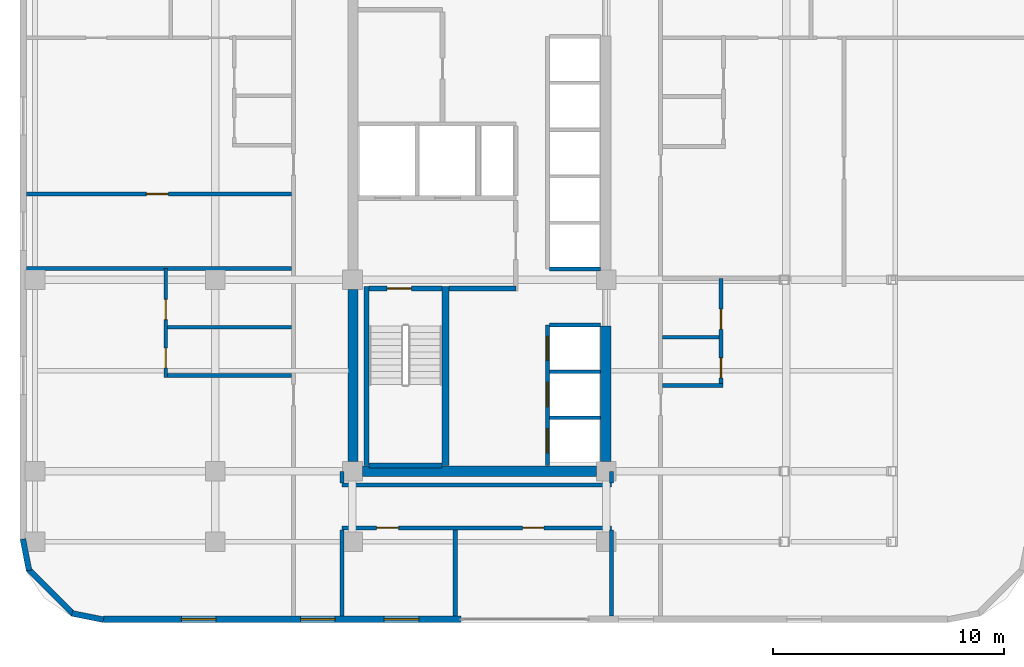
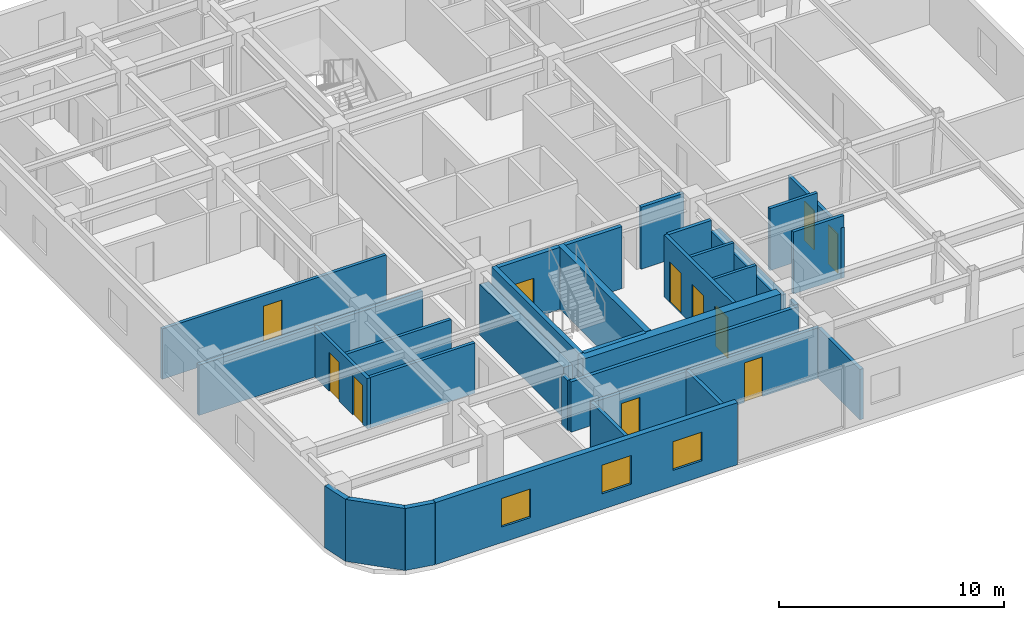
# One storey, part 4 of 9: 32 walls, 11 doors, 3 windows, 14 openings.
"""IFC4 building model written with IfcOpenShell, lengths in metres."""

from ifc_helpers import new_model, si_unit, direction, frame, frame_2d, origin, place, context, subcontext, project, spatial, rectangle, extrude, material, layer, layer_set, type_object, element, fill, save


model = new_model("IFC4")

# Units and contexts
model_context = context("Model", 3, precision=1e-05, world=origin(), true_north=direction((0.0, 1.0)))
body_context = subcontext(model_context, "Body", "Model", "MODEL_VIEW")
ifc_project = project(units=[si_unit("LENGTHUNIT", "METRE"), si_unit("AREAUNIT", "SQUARE_METRE"), si_unit("VOLUMEUNIT", "CUBIC_METRE"), si_unit("PLANEANGLEUNIT", "RADIAN"), si_unit("MASSUNIT", "GRAM", prefix="KILO")], contexts=[model_context])

# Site, building, storey
site_placement = place(None, origin())
site = spatial("IfcSite", under=ifc_project, at=site_placement, CompositionType="ELEMENT")
building_placement = place(site_placement, origin())
building = spatial("IfcBuilding", under=site, at=building_placement, Name="Ochreholt Gables", CompositionType="ELEMENT")
storey_placement = place(building_placement, frame((0.0, 0.0, 84.0)))
storey = spatial("IfcBuildingStorey", under=building, at=storey_placement, Name="L21", CompositionType="ELEMENT", Elevation=84.0)

# Walls
ifc_material_1 = material(Name="Concrete 60 MPa", Category="concrete")
ifc_layer_1 = layer(ifc_material_1, 0.449951171875, Name="Concrete 60 MPa")
ifc_layer_set_1 = layer_set([ifc_layer_1], Name="Concrete 60 MPa")
wall_type_1 = type_object("IfcWallType", Name="WALL-CSW-450", PredefinedType="SHEAR", material=ifc_layer_set_1)
wall_1_placement = place(storey_placement, frame((24.22509765625, 9.675048828125, 0.0), z_axis=(0.0, 0.0, 1.0), x_axis=(0.0, 1.0, 0.0)))
element("IfcWall", 1, at=wall_1_placement, inside=storey, type_object=wall_type_1, Name="L21 Core West Shear Wall WS", PredefinedType="SHEAR", context=body_context, shape_type="SweptSolid", body=[
    extrude(rectangle(XDim=7.449951171875, YDim=0.449951171875, at=frame_2d((3.72509765625, 0.0))), origin(), (0.0, 0.0, 1.0), 2.7490234375),
])
wall_2_placement = place(storey_placement, frame((35.175048828125, 9.675048828125, 0.0), z_axis=(0.0, 0.0, 1.0), x_axis=(0.0, 1.0, 0.0)))
element("IfcWall", 2, at=wall_2_placement, inside=storey, type_object=wall_type_1, Name="L21 Core South-East Shear Wall", PredefinedType="SHEAR", context=body_context, shape_type="SweptSolid", body=[
    extrude(rectangle(XDim=5.875, YDim=0.449951171875, at=frame_2d((2.9375, 0.0))), origin(), (0.0, 0.0, 1.0), 2.7490234375),
])
wall_3_placement = place(storey_placement, frame((24.625, 9.25, 0.0), z_axis=(0.0, 0.0, 1.0), x_axis=(1.0, 0.0, 0.0)))
element("IfcWall", 3, at=wall_3_placement, inside=storey, type_object=wall_type_1, Name="L21 Core South Shear Wall", PredefinedType="SHEAR", context=body_context, shape_type="SweptSolid", body=[
    extrude(rectangle(XDim=10.14990234375, YDim=0.449951171875, at=frame_2d((5.074951171875, 0.0))), origin(), (0.0, 0.0, 1.0), 3.360107421875),
])

# Wall, openings, windows
ifc_material_2 = material(Name="Precast concrete 40 MPa", Category="concrete")
ifc_layer_2 = layer(ifc_material_2, 0.280029296875, Name="Precast concrete 40 MPa")
ifc_layer_set_2 = layer_set([ifc_layer_2], Name="Precast concrete 40 MPa")
wall_type_2 = type_object("IfcWallType", Name="WALL-EXT-280", PredefinedType="SOLIDWALL", material=ifc_layer_set_2)
wall_4_placement = place(storey_placement, frame((13.419921875, 2.840087890625, 0.0), z_axis=(0.0, 0.0, 1.0), x_axis=(1.0, 0.0, 0.0)))
wall_4 = element("IfcWall", 4, at=wall_4_placement, inside=storey, type_object=wall_type_2, Name="L21 South Facade Wall 1", PredefinedType="SOLIDWALL", context=body_context, shape_type="SweptSolid", body=[
    extrude(rectangle(XDim=15.4814453125, YDim=0.280029296875, at=frame_2d((7.74072265625, 0.0))), origin(), (0.0, 0.0, 1.0), 3.360107421875),
])
opening_1_placement = place(wall_4_placement, frame((3.364990234375, 0.0, 0.85009765625)))
opening_1 = element("IfcOpeningElement", 5, at=opening_1_placement, cuts=wall_4, Name="Opening WN-2", PredefinedType="OPENING", context=body_context, shape_type="SweptSolid", body=[
    extrude(rectangle(XDim=1.5, YDim=1.550048828125, at=frame_2d((0.75, 0.77490234375))), frame((0.0, 0.14990234375, 0.0), z_axis=(0.0, -1.0, 0.0), x_axis=(1.0, 0.0, 0.0)), (0.0, 0.0, 1.0), 0.300048828125),
])
opening_2_placement = place(wall_4_placement, frame((8.530029296875, 0.0, 0.85009765625)))
opening_2 = element("IfcOpeningElement", 6, at=opening_2_placement, cuts=wall_4, Name="Opening WN-2", PredefinedType="OPENING", context=body_context, shape_type="SweptSolid", body=[
    extrude(rectangle(XDim=1.5, YDim=1.550048828125, at=frame_2d((0.75, 0.77490234375))), frame((0.0, 0.14990234375, 0.0), z_axis=(0.0, -1.0, 0.0), x_axis=(1.0, 0.0, 0.0)), (0.0, 0.0, 1.0), 0.300048828125),
])
opening_3_placement = place(wall_4_placement, frame((12.15576171875, 0.0, 0.85009765625)))
opening_3 = element("IfcOpeningElement", 7, at=opening_3_placement, cuts=wall_4, Name="Opening WN-2", PredefinedType="OPENING", context=body_context, shape_type="SweptSolid", body=[
    extrude(rectangle(XDim=1.5, YDim=1.550048828125, at=frame_2d((0.75, 0.77490234375))), frame((0.0, 0.14990234375, 0.0), z_axis=(0.0, -1.0, 0.0), x_axis=(1.0, 0.0, 0.0)), (0.0, 0.0, 1.0), 0.300048828125),
])
ifc_material_3 = material(Name="Triple-Glazed Thermally Broken Aluminium Window", Category="aluminium")
window_type = type_object("IfcWindowType", Name="WIN-RES-1500", PartitioningType="SINGLE_PANEL", PredefinedType="WINDOW", material=ifc_material_3)
window_1_placement = place(opening_1_placement, origin())
window_1 = element("IfcWindow", 8, at=window_1_placement, inside=storey, type_object=window_type, Name="L21 Window W-EXT-S1-L21-1", OverallHeight=1.550048828125, OverallWidth=1.5, PartitioningType="SINGLE_PANEL", PredefinedType="WINDOW", context=body_context, shape_type="SweptSolid", body=[
    extrude(rectangle(XDim=1.5, YDim=1.550048828125, at=frame_2d((0.75, 0.77490234375))), frame((0.0, 0.030029296875, 0.0), z_axis=(0.0, -1.0, 0.0), x_axis=(1.0, 0.0, 0.0)), (0.0, 0.0, 1.0), 0.06005859375),
])
fill(opening_1, window_1)
window_2_placement = place(opening_2_placement, origin())
window_2 = element("IfcWindow", 9, at=window_2_placement, inside=storey, type_object=window_type, Name="L21 Window W-EXT-S1-L21-2", OverallHeight=1.550048828125, OverallWidth=1.5, PartitioningType="SINGLE_PANEL", PredefinedType="WINDOW", context=body_context, shape_type="SweptSolid", body=[
    extrude(rectangle(XDim=1.5, YDim=1.550048828125, at=frame_2d((0.75, 0.77490234375))), frame((0.0, 0.030029296875, 0.0), z_axis=(0.0, -1.0, 0.0), x_axis=(1.0, 0.0, 0.0)), (0.0, 0.0, 1.0), 0.06005859375),
])
fill(opening_2, window_2)
window_3_placement = place(opening_3_placement, origin())
window_3 = element("IfcWindow", 10, at=window_3_placement, inside=storey, type_object=window_type, Name="L21 Window W-EXT-S1-L21-3", OverallHeight=1.550048828125, OverallWidth=1.5, PartitioningType="SINGLE_PANEL", PredefinedType="WINDOW", context=body_context, shape_type="SweptSolid", body=[
    extrude(rectangle(XDim=1.5, YDim=1.550048828125, at=frame_2d((0.75, 0.77490234375))), frame((0.0, 0.030029296875, 0.0), z_axis=(0.0, -1.0, 0.0), x_axis=(1.0, 0.0, 0.0)), (0.0, 0.0, 1.0), 0.06005859375),
])
fill(opening_3, window_3)

# Walls
ifc_layer_3 = layer(ifc_material_2, 0.25, Name="Precast concrete 40 MPa")
ifc_layer_set_3 = layer_set([ifc_layer_3], Name="Precast concrete 40 MPa")
wall_type_3 = type_object("IfcWallType", Name="WALL-EXT-CNR", PredefinedType="SOLIDWALL", material=ifc_layer_set_3)
wall_5_placement = place(storey_placement, frame((9.92431640625, 6.31640625, 0.0), z_axis=(0.0, 0.0, 1.0), x_axis=(0.195000137217, -0.980803214965, 0.0)))
element("IfcWall", 11, at=wall_5_placement, inside=storey, type_object=wall_type_3, Name="L21 Rounded Corner Wall SW-1", PredefinedType="SOLIDWALL", context=body_context, shape_type="SweptSolid", body=[
    extrude(rectangle(XDim=1.388427734375, YDim=0.25, at=frame_2d((0.6943359375, 0.0))), origin(), (0.0, 0.0, 1.0), 3.360107421875),
])
wall_6_placement = place(storey_placement, frame((10.16796875, 5.0048828125, 0.0), z_axis=(0.0, 0.0, 1.0), x_axis=(0.707151344399, -0.707062215165, 0.0)))
element("IfcWall", 12, at=wall_6_placement, inside=storey, type_object=wall_type_3, Name="L21 Rounded Corner Wall SW-2", PredefinedType="SOLIDWALL", context=body_context, shape_type="SweptSolid", body=[
    extrude(rectangle(XDim=2.7392578125, YDim=0.25, at=frame_2d((1.36962890625, 0.0))), origin(), (0.0, 0.0, 1.0), 3.360107421875),
])
wall_7_placement = place(storey_placement, frame((12.054443359375, 3.094970703125, 0.0), z_axis=(0.0, 0.0, 1.0), x_axis=(0.980809899341, -0.19496651342, 0.0)))
element("IfcWall", 13, at=wall_7_placement, inside=storey, type_object=wall_type_3, Name="L21 Rounded Corner Wall SW-3", PredefinedType="SOLIDWALL", context=body_context, shape_type="SweptSolid", body=[
    extrude(rectangle(XDim=1.388671875, YDim=0.25, at=frame_2d((0.6943359375, 0.0))), origin(), (0.0, 0.0, 1.0), 3.360107421875),
])
ifc_material_4 = material(Name="Concrete 40 MPa", Category="concrete")
ifc_layer_4 = layer(ifc_material_4, 0.199951171875, Name="Concrete 40 MPa")
ifc_layer_set_4 = layer_set([ifc_layer_4], Name="Concrete 40 MPa")
wall_type_4 = type_object("IfcWallType", Name="WALL-INT-CF200", PredefinedType="STANDARD", material=ifc_layer_set_4)
wall_8_placement = place(storey_placement, frame((28.3798828125, 17.169921875, 0.0), z_axis=(0.0, 0.0, 1.0), x_axis=(1.0, 0.0, 0.0)))
element("IfcWall", 14, at=wall_8_placement, inside=storey, type_object=wall_type_4, Name="L21 Interior Wall WI-FFS-L21", PredefinedType="STANDARD", context=body_context, shape_type="SweptSolid", body=[
    extrude(rectangle(XDim=2.900146484375, YDim=0.199951171875, at=frame_2d((1.4501953125, 0.0))), origin(), (0.0, 0.0, 1.0), 3.360107421875),
])

# Wall, openings, doors
ifc_material_5 = material(Name="Fire-Rated Gypsum Acoustic Partition", Category="gypsum")
ifc_layer_5 = layer(ifc_material_5, 0.179931640625, Name="Fire-Rated Gypsum Acoustic Partition")
ifc_layer_set_5 = layer_set([ifc_layer_5], Name="Fire-Rated Gypsum Acoustic Partition")
wall_type_5 = type_object("IfcWallType", Name="WALL-INT-CR180", PredefinedType="STANDARD", material=ifc_layer_set_5)
wall_9_placement = place(storey_placement, frame((23.75, 6.800048828125, 0.0), z_axis=(0.0, 0.0, 1.0), x_axis=(1.0, 0.0, 0.0)))
wall_9 = element("IfcWall", 15, at=wall_9_placement, inside=storey, type_object=wall_type_5, Name="L21 Interior Wall WI-C1S-L21", PredefinedType="STANDARD", context=body_context, shape_type="SweptSolid", body=[
    extrude(rectangle(XDim=11.669921875, YDim=0.179931640625, at=frame_2d((5.8349609375, 0.0))), origin(), (0.0, 0.0, 1.0), 2.73095703125),
])
opening_4_placement = place(wall_9_placement, frame((1.5, 0.0, 0.0)))
opening_4 = element("IfcOpeningElement", 16, at=opening_4_placement, cuts=wall_9, Name="Opening D-GN1", PredefinedType="OPENING", context=body_context, shape_type="SweptSolid", body=[
    extrude(rectangle(XDim=0.949951171875, YDim=2.14990234375, at=frame_2d((0.47509765625, 1.074951171875))), frame((0.0, 0.099853515625, 0.0), z_axis=(0.0, -1.0, 0.0), x_axis=(1.0, 0.0, 0.0)), (0.0, 0.0, 1.0), 0.199951171875),
])
opening_5_placement = place(wall_9_placement, frame((7.82568359375, 0.0, 0.0)))
opening_5 = element("IfcOpeningElement", 17, at=opening_5_placement, cuts=wall_9, Name="Opening D-UN1", PredefinedType="OPENING", context=body_context, shape_type="SweptSolid", body=[
    extrude(rectangle(XDim=0.919921875, YDim=2.14990234375, at=frame_2d((0.4599609375, 1.074951171875))), frame((0.0, 0.099853515625, 0.0), z_axis=(0.0, -1.0, 0.0), x_axis=(1.0, 0.0, 0.0)), (0.0, 0.0, 1.0), 0.199951171875),
])
ifc_material_6 = material(Name="Engineered Oak Timber", Category="wood")
door_type_1 = type_object("IfcDoorType", Name="DR-INT-GEN950", OperationType="NOTDEFINED", PredefinedType="DOOR", material=ifc_material_6)
door_1_placement = place(opening_4_placement, origin())
door_1 = element("IfcDoor", 18, at=door_1_placement, inside=storey, type_object=door_type_1, Name="L21 Door D-C1SS-L21", OperationType="SINGLE_SWING_LEFT", OverallHeight=2.14990234375, OverallWidth=0.949951171875, PredefinedType="DOOR", context=body_context, shape_type="SweptSolid", body=[
    extrude(rectangle(XDim=0.949951171875, YDim=2.14990234375, at=frame_2d((0.47509765625, 1.074951171875))), frame((0.0, 0.02490234375, 0.0), z_axis=(0.0, -1.0, 0.0), x_axis=(1.0, 0.0, 0.0)), (0.0, 0.0, 1.0), 0.050048828125),
])
fill(opening_4, door_1)
door_type_2 = type_object("IfcDoorType", Name="DR-INT-UNT920", OperationType="NOTDEFINED", PredefinedType="DOOR", material=ifc_material_6)
door_2_placement = place(opening_5_placement, origin())
door_2 = element("IfcDoor", 19, at=door_2_placement, inside=storey, type_object=door_type_2, Name="L21 Door D-U-L21S1-ENT", OperationType="SINGLE_SWING_LEFT", OverallHeight=2.14990234375, OverallWidth=0.919921875, PredefinedType="DOOR", context=body_context, shape_type="SweptSolid", body=[
    extrude(rectangle(XDim=0.919921875, YDim=2.14990234375, at=frame_2d((0.4599609375, 1.074951171875))), frame((0.0, 0.02490234375, 0.0), z_axis=(0.0, -1.0, 0.0), x_axis=(1.0, 0.0, 0.0)), (0.0, 0.0, 1.0), 0.050048828125),
])
fill(opening_5, door_2)

# Walls
wall_10_placement = place(storey_placement, frame((23.75, 8.64990234375, 0.0), z_axis=(0.0, 0.0, 1.0), x_axis=(1.0, 0.0, 0.0)))
element("IfcWall", 20, at=wall_10_placement, inside=storey, type_object=wall_type_5, Name="L21 Interior Wall WI-C1S2-L21", PredefinedType="STANDARD", context=body_context, shape_type="SweptSolid", body=[
    extrude(rectangle(XDim=11.669921875, YDim=0.179931640625, at=frame_2d((5.8349609375, 0.0))), origin(), (0.0, 0.0, 1.0), 2.73095703125),
])
for number, where, z_axis, x_axis, name in (
    (21, (35.419921875, 8.739990234375, 0.0), (0.0, 0.0, 1.0), (0.0, 1.0, 0.0), "L21 Interior Wall WI-C1ESW2-L21"),
    (22, (23.75, 8.739990234375, 0.0), (0.0, 0.0, 1.0), (0.0, 1.0, 0.0), "L21 Interior Wall WI-C1SWA2-L21"),
):
    element("IfcWall", number, at=place(storey_placement, frame(where, z_axis=z_axis, x_axis=x_axis)), inside=storey, type_object=wall_type_5, Name=name, PredefinedType="STANDARD", context=body_context, shape_type="SweptSolid", body=[
        extrude(rectangle(XDim=0.510009765625, YDim=0.179931640625, at=frame_2d((0.2548828125, 0.0))), origin(), (0.0, 0.0, 1.0), 2.73095703125),
    ])
ifc_material_7 = material(Name="Double-Stud Acoustic Demising Wall", Category="gypsum")
ifc_layer_6 = layer(ifc_material_7, 0.179931640625, Name="Double-Stud Acoustic Demising Wall")
ifc_layer_set_6 = layer_set([ifc_layer_6], Name="Double-Stud Acoustic Demising Wall")
wall_type_6 = type_object("IfcWallType", Name="WALL-INT-DM180", PredefinedType="PARTITIONING", material=ifc_layer_set_6)
wall_11_placement = place(storey_placement, frame((35.419921875, 2.97998046875, 0.0), z_axis=(0.0, 0.0, 1.0), x_axis=(0.0, 1.0, 0.0)))
element("IfcWall", 23, at=wall_11_placement, inside=storey, type_object=wall_type_6, Name="L21 Interior Wall WI-C1ESW-L21", PredefinedType="PARTITIONING", context=body_context, shape_type="SweptSolid", body=[
    extrude(rectangle(XDim=3.72998046875, YDim=0.179931640625, at=frame_2d((1.864990234375, 0.0))), origin(), (0.0, 0.0, 1.0), 2.73095703125),
])
wall_12_placement = place(storey_placement, frame((10.080078125, 18.035888671875, 0.0), z_axis=(0.0, 0.0, 1.0), x_axis=(1.0, 0.0, 0.0)))
element("IfcWall", 24, at=wall_12_placement, inside=storey, type_object=wall_type_6, Name="L21 Interior Wall WI-UDW2-L21", PredefinedType="PARTITIONING", context=body_context, shape_type="SweptSolid", body=[
    extrude(rectangle(XDim=11.47998046875, YDim=0.179931640625, at=frame_2d((5.739990234375, 0.0))), origin(), (0.0, 0.0, 1.0), 2.73095703125),
])
for number, where, z_axis, x_axis, name in (
    (25, (23.75, 2.97998046875, 0.0), (0.0, 0.0, 1.0), (0.0, 1.0, 0.0), "L21 Interior Wall WI-C1SWA-L21"),
    (26, (28.6513671875, 2.97998046875, 0.0), (0.0, 0.0, 1.0), (0.0, 1.0, 0.0), "L21 Interior Wall WI-UDS1-L21"),
):
    element("IfcWall", number, at=place(storey_placement, frame(where, z_axis=z_axis, x_axis=x_axis)), inside=storey, type_object=wall_type_6, Name=name, PredefinedType="PARTITIONING", context=body_context, shape_type="SweptSolid", body=[
        extrude(rectangle(XDim=3.72998046875, YDim=0.179931640625, at=frame_2d((1.864990234375, 0.0))), origin(), (0.0, 0.0, 1.0), 2.80908203125),
    ])
ifc_material_8 = material(Name="Moisture-Resistant Plumbing Chase Wall", Category="gypsum")
ifc_layer_7 = layer(ifc_material_8, 0.159912109375, Name="Moisture-Resistant Plumbing Chase Wall")
ifc_layer_set_7 = layer_set([ifc_layer_7], Name="Moisture-Resistant Plumbing Chase Wall")
wall_type_7 = type_object("IfcWallType", Name="WALL-INT-PL160", PredefinedType="PLUMBINGWALL", material=ifc_layer_set_7)
wall_13_placement = place(storey_placement, frame((37.639892578125, 12.969970703125, 0.0), z_axis=(0.0, 0.0, 1.0), x_axis=(1.0, 0.0, 0.0)))
element("IfcWall", 27, at=wall_13_placement, inside=storey, type_object=wall_type_7, Name="L21 Interior Wall WU-L21E1-WYS", PredefinedType="PLUMBINGWALL", context=body_context, shape_type="SweptSolid", body=[
    extrude(rectangle(XDim=2.606201171875, YDim=0.159912109375, at=frame_2d((1.30322265625, 0.0))), origin(), (0.0, 0.0, 1.0), 3.360107421875),
])

# Wall, openings, doors
wall_14_placement = place(storey_placement, frame((40.166015625, 12.8798828125, 0.0), z_axis=(0.0, 0.0, 1.0), x_axis=(0.0, 1.0, 0.0)))
wall_14 = element("IfcWall", 28, at=wall_14_placement, inside=storey, type_object=wall_type_7, Name="L21 Interior Wall WU-L21E1-WX", PredefinedType="PLUMBINGWALL", context=body_context, shape_type="SweptSolid", body=[
    extrude(rectangle(XDim=4.730224609375, YDim=0.159912109375, at=frame_2d((2.365234375, 0.0))), origin(), (0.0, 0.0, 1.0), 2.73095703125),
])
opening_6_placement = place(wall_14_placement, frame((0.419921875, 0.0, 0.0)))
opening_6 = element("IfcOpeningElement", 29, at=opening_6_placement, cuts=wall_14, Name="Opening D-BT1", PredefinedType="OPENING", context=body_context, shape_type="SweptSolid", body=[
    extrude(rectangle(XDim=0.860107421875, YDim=2.1201171875, at=frame_2d((0.43017578125, 1.06005859375))), frame((0.0, 0.08984375, 0.0), z_axis=(0.0, -1.0, 0.0), x_axis=(1.0, 0.0, 0.0)), (0.0, 0.0, 1.0), 0.179931640625),
])
opening_7_placement = place(wall_14_placement, frame((2.512939453125, 0.0, 0.0)))
opening_7 = element("IfcOpeningElement", 30, at=opening_7_placement, cuts=wall_14, Name="Opening D-GN2", PredefinedType="OPENING", context=body_context, shape_type="SweptSolid", body=[
    extrude(rectangle(XDim=0.8798828125, YDim=2.1201171875, at=frame_2d((0.43994140625, 1.06005859375))), frame((0.0, 0.08984375, 0.0), z_axis=(0.0, -1.0, 0.0), x_axis=(1.0, 0.0, 0.0)), (0.0, 0.0, 1.0), 0.179931640625),
])
door_type_3 = type_object("IfcDoorType", Name="DR-INT-BTH860", OperationType="NOTDEFINED", PredefinedType="DOOR", material=ifc_material_6)
door_3_placement = place(opening_6_placement, origin())
door_3 = element("IfcDoor", 31, at=door_3_placement, inside=storey, type_object=door_type_3, Name="L21 Door D-U-L21E1-BTH", OperationType="SINGLE_SWING_LEFT", OverallHeight=2.1201171875, OverallWidth=0.860107421875, PredefinedType="DOOR", context=body_context, shape_type="SweptSolid", body=[
    extrude(rectangle(XDim=0.860107421875, YDim=2.1201171875, at=frame_2d((0.43017578125, 1.06005859375))), frame((0.0, 0.02490234375, 0.0), z_axis=(0.0, -1.0, 0.0), x_axis=(1.0, 0.0, 0.0)), (0.0, 0.0, 1.0), 0.050048828125),
])
fill(opening_6, door_3)
door_type_4 = type_object("IfcDoorType", Name="DR-INT-GEN880", OperationType="NOTDEFINED", PredefinedType="DOOR", material=ifc_material_6)
door_4_placement = place(opening_7_placement, origin())
door_4 = element("IfcDoor", 32, at=door_4_placement, inside=storey, type_object=door_type_4, Name="L21 Door D-U-L21E1-KIT", OperationType="SINGLE_SWING_RIGHT", OverallHeight=2.1201171875, OverallWidth=0.8798828125, PredefinedType="DOOR", context=body_context, shape_type="SweptSolid", body=[
    extrude(rectangle(XDim=0.8798828125, YDim=2.1201171875, at=frame_2d((0.43994140625, 1.06005859375))), frame((0.0, 0.02490234375, 0.0), z_axis=(0.0, -1.0, 0.0), x_axis=(1.0, 0.0, 0.0)), (0.0, 0.0, 1.0), 0.050048828125),
])
fill(opening_7, door_4)

# Walls
wall_15_placement = place(storey_placement, frame((37.639892578125, 15.06298828125, 0.0), z_axis=(0.0, 0.0, 1.0), x_axis=(1.0, 0.0, 0.0)))
element("IfcWall", 33, at=wall_15_placement, inside=storey, type_object=wall_type_7, Name="L21 Interior Wall WU-L21E1-WM", PredefinedType="PLUMBINGWALL", context=body_context, shape_type="SweptSolid", body=[
    extrude(rectangle(XDim=2.446044921875, YDim=0.159912109375, at=frame_2d((1.22314453125, 0.0))), origin(), (0.0, 0.0, 1.0), 3.360107421875),
])
wall_16_placement = place(storey_placement, frame((16.030029296875, 13.39599609375, 0.0), z_axis=(0.0, 0.0, 1.0), x_axis=(1.0, 0.0, 0.0)))
element("IfcWall", 34, at=wall_16_placement, inside=storey, type_object=wall_type_7, Name="L21 Interior Wall WU-L21W1-WYS", PredefinedType="PLUMBINGWALL", context=body_context, shape_type="SweptSolid", body=[
    extrude(rectangle(XDim=5.530029296875, YDim=0.159912109375, at=frame_2d((2.76513671875, 0.0))), origin(), (0.0, 0.0, 1.0), 2.73095703125),
])

# Wall, openings, doors
wall_17_placement = place(storey_placement, frame((16.110107421875, 13.305908203125, 0.0), z_axis=(0.0, 0.0, 1.0), x_axis=(0.0, 1.0, 0.0)))
wall_17 = element("IfcWall", 35, at=wall_17_placement, inside=storey, type_object=wall_type_7, Name="L21 Interior Wall WU-L21W1-WX", PredefinedType="PLUMBINGWALL", context=body_context, shape_type="SweptSolid", body=[
    extrude(rectangle(XDim=4.72998046875, YDim=0.159912109375, at=frame_2d((2.364990234375, 0.0))), origin(), (0.0, 0.0, 1.0), 2.73095703125),
])
opening_8_placement = place(wall_17_placement, frame((0.419921875, 0.0, 0.0)))
opening_8 = element("IfcOpeningElement", 36, at=opening_8_placement, cuts=wall_17, Name="Opening D-BT1", PredefinedType="OPENING", context=body_context, shape_type="SweptSolid", body=[
    extrude(rectangle(XDim=0.860107421875, YDim=2.1201171875, at=frame_2d((0.43017578125, 1.06005859375))), frame((0.0, 0.08984375, 0.0), z_axis=(0.0, -1.0, 0.0), x_axis=(1.0, 0.0, 0.0)), (0.0, 0.0, 1.0), 0.179931640625),
])
opening_9_placement = place(wall_17_placement, frame((2.512939453125, 0.0, 0.0)))
opening_9 = element("IfcOpeningElement", 37, at=opening_9_placement, cuts=wall_17, Name="Opening D-GN2", PredefinedType="OPENING", context=body_context, shape_type="SweptSolid", body=[
    extrude(rectangle(XDim=0.8798828125, YDim=2.1201171875, at=frame_2d((0.43994140625, 1.06005859375))), frame((0.0, 0.08984375, 0.0), z_axis=(0.0, -1.0, 0.0), x_axis=(1.0, 0.0, 0.0)), (0.0, 0.0, 1.0), 0.179931640625),
])
door_5_placement = place(opening_8_placement, origin())
door_5 = element("IfcDoor", 38, at=door_5_placement, inside=storey, type_object=door_type_3, Name="L21 Door D-U-L21W1-BTH", OperationType="SINGLE_SWING_RIGHT", OverallHeight=2.1201171875, OverallWidth=0.860107421875, PredefinedType="DOOR", context=body_context, shape_type="SweptSolid", body=[
    extrude(rectangle(XDim=0.860107421875, YDim=2.1201171875, at=frame_2d((0.43017578125, 1.06005859375))), frame((0.0, 0.02490234375, 0.0), z_axis=(0.0, -1.0, 0.0), x_axis=(1.0, 0.0, 0.0)), (0.0, 0.0, 1.0), 0.050048828125),
])
fill(opening_8, door_5)
door_6_placement = place(opening_9_placement, origin())
door_6 = element("IfcDoor", 39, at=door_6_placement, inside=storey, type_object=door_type_4, Name="L21 Door D-U-L21W1-KIT", OperationType="SINGLE_SWING_LEFT", OverallHeight=2.1201171875, OverallWidth=0.8798828125, PredefinedType="DOOR", context=body_context, shape_type="SweptSolid", body=[
    extrude(rectangle(XDim=0.8798828125, YDim=2.1201171875, at=frame_2d((0.43994140625, 1.06005859375))), frame((0.0, 0.02490234375, 0.0), z_axis=(0.0, -1.0, 0.0), x_axis=(1.0, 0.0, 0.0)), (0.0, 0.0, 1.0), 0.050048828125),
])
fill(opening_9, door_6)

# Wall
wall_18_placement = place(storey_placement, frame((16.18994140625, 15.489013671875, 0.0), z_axis=(0.0, 0.0, 1.0), x_axis=(1.0, 0.0, 0.0)))
element("IfcWall", 40, at=wall_18_placement, inside=storey, type_object=wall_type_7, Name="L21 Interior Wall WU-L21W1-WM", PredefinedType="PLUMBINGWALL", context=body_context, shape_type="SweptSolid", body=[
    extrude(rectangle(XDim=5.3701171875, YDim=0.159912109375, at=frame_2d((2.68505859375, 0.0))), origin(), (0.0, 0.0, 1.0), 2.73095703125),
])

# Wall, opening, door
ifc_material_9 = material(Name="Gypsum Acoustic Stud Partition", Category="gypsum")
ifc_layer_8 = layer(ifc_material_9, 0.159912109375, Name="Gypsum Acoustic Stud Partition")
ifc_layer_set_8 = layer_set([ifc_layer_8], Name="Gypsum Acoustic Stud Partition")
wall_type_8 = type_object("IfcWallType", Name="WALL-INT-PT160", PredefinedType="PARTITIONING", material=ifc_layer_set_8)
wall_19_placement = place(storey_placement, frame((10.080078125, 21.261962890625, 0.0), z_axis=(0.0, 0.0, 1.0), x_axis=(1.0, 0.0, 0.0)))
wall_19 = element("IfcWall", 41, at=wall_19_placement, inside=storey, type_object=wall_type_8, Name="L21 Interior Wall WU-L21W2-DNW", PredefinedType="PARTITIONING", context=body_context, shape_type="SweptSolid", body=[
    extrude(rectangle(XDim=11.47998046875, YDim=0.159912109375, at=frame_2d((5.739990234375, 0.0))), origin(), (0.0, 0.0, 1.0), 2.73095703125),
])
opening_10_placement = place(wall_19_placement, frame((5.195068359375, 0.0, 0.0)))
opening_10 = element("IfcOpeningElement", 42, at=opening_10_placement, cuts=wall_19, Name="Opening D-GN1", PredefinedType="OPENING", context=body_context, shape_type="SweptSolid", body=[
    extrude(rectangle(XDim=0.949951171875, YDim=2.14990234375, at=frame_2d((0.47509765625, 1.074951171875))), frame((0.0, 0.08984375, 0.0), z_axis=(0.0, -1.0, 0.0), x_axis=(1.0, 0.0, 0.0)), (0.0, 0.0, 1.0), 0.179931640625),
])
door_7_placement = place(opening_10_placement, origin())
door_7 = element("IfcDoor", 43, at=door_7_placement, inside=storey, type_object=door_type_1, Name="L21 Door D-U-L21W2-DIN", OperationType="SINGLE_SWING_LEFT", OverallHeight=2.14990234375, OverallWidth=0.949951171875, PredefinedType="DOOR", context=body_context, shape_type="SweptSolid", body=[
    extrude(rectangle(XDim=0.949951171875, YDim=2.14990234375, at=frame_2d((0.47509765625, 1.074951171875))), frame((0.0, 0.02490234375, 0.0), z_axis=(0.0, -1.0, 0.0), x_axis=(1.0, 0.0, 0.0)), (0.0, 0.0, 1.0), 0.050048828125),
])
fill(opening_10, door_7)

# Walls
ifc_material_10 = material(Name="Gypsum Shaftliner and Steel Stud", Category="steel")
ifc_layer_9 = layer(ifc_material_10, 0.14990234375, Name="Gypsum Shaftliner and Steel Stud")
ifc_layer_set_9 = layer_set([ifc_layer_9], Name="Gypsum Shaftliner and Steel Stud")
wall_type_9 = type_object("IfcWallType", Name="WALL-INT-SH150", PredefinedType="STANDARD", material=ifc_layer_set_9)
for number, where, z_axis, x_axis, name in (
    (44, (32.739990234375, 11.570068359375, 0.0), (0.0, 0.0, 1.0), (1.0, 0.0, 0.0), "L21 Interior Wall WI-LFL-D1-L21"),
    (45, (32.739990234375, 13.570068359375, 0.0), (0.0, 0.0, 1.0), (1.0, 0.0, 0.0), "L21 Interior Wall WI-LFL-D2-L21"),
):
    element("IfcWall", number, at=place(storey_placement, frame(where, z_axis=z_axis, x_axis=x_axis)), inside=storey, type_object=wall_type_9, Name=name, PredefinedType="STANDARD", context=body_context, shape_type="SweptSolid", body=[
        extrude(rectangle(XDim=2.2099609375, YDim=0.14990234375, at=frame_2d((1.10498046875, 0.0))), origin(), (0.0, 0.0, 1.0), 3.360107421875),
    ])

# Wall, openings, doors
ifc_layer_10 = layer(ifc_material_10, 0.179931640625, Name="Gypsum Shaftliner and Steel Stud")
ifc_layer_set_10 = layer_set([ifc_layer_10], Name="Gypsum Shaftliner and Steel Stud")
wall_type_10 = type_object("IfcWallType", Name="WALL-INT-SH180", PredefinedType="STANDARD", material=ifc_layer_set_10)
wall_20_placement = place(storey_placement, frame((32.64990234375, 9.5, 0.0), z_axis=(0.0, 0.0, 1.0), x_axis=(0.0, 1.0, 0.0)))
wall_20 = element("IfcWall", 46, at=wall_20_placement, inside=storey, type_object=wall_type_10, Name="L21 Interior Wall WI-LFL-FR-L21", PredefinedType="STANDARD", context=body_context, shape_type="SweptSolid", body=[
    extrude(rectangle(XDim=6.080078125, YDim=0.179931640625, at=frame_2d((3.0400390625, 0.0))), origin(), (0.0, 0.0, 1.0), 3.360107421875),
])
opening_11_placement = place(wall_20_placement, frame((0.550048828125, 0.0, 0.0)))
opening_11 = element("IfcOpeningElement", 47, at=opening_11_placement, cuts=wall_20, Name="Opening LD-PX", PredefinedType="OPENING", context=body_context, shape_type="SweptSolid", body=[
    extrude(rectangle(XDim=1.050048828125, YDim=2.199951171875, at=frame_2d((0.52490234375, 1.10009765625))), frame((0.0, 0.099853515625, 0.0), z_axis=(0.0, -1.0, 0.0), x_axis=(1.0, 0.0, 0.0)), (0.0, 0.0, 1.0), 0.199951171875),
])
opening_12_placement = place(wall_20_placement, frame((2.550048828125, 0.0, 0.0)))
opening_12 = element("IfcOpeningElement", 48, at=opening_12_placement, cuts=wall_20, Name="Opening LD-PX", PredefinedType="OPENING", context=body_context, shape_type="SweptSolid", body=[
    extrude(rectangle(XDim=1.050048828125, YDim=2.199951171875, at=frame_2d((0.52490234375, 1.10009765625))), frame((0.0, 0.099853515625, 0.0), z_axis=(0.0, -1.0, 0.0), x_axis=(1.0, 0.0, 0.0)), (0.0, 0.0, 1.0), 0.199951171875),
])
opening_13_placement = place(wall_20_placement, frame((4.550048828125, 0.0, 0.0)))
opening_13 = element("IfcOpeningElement", 49, at=opening_13_placement, cuts=wall_20, Name="Opening LD-PX", PredefinedType="OPENING", context=body_context, shape_type="SweptSolid", body=[
    extrude(rectangle(XDim=1.050048828125, YDim=2.199951171875, at=frame_2d((0.52490234375, 1.10009765625))), frame((0.0, 0.099853515625, 0.0), z_axis=(0.0, -1.0, 0.0), x_axis=(1.0, 0.0, 0.0)), (0.0, 0.0, 1.0), 0.199951171875),
])
ifc_material_11 = material(Name="Stainless Steel", Category="steel")
door_type_5 = type_object("IfcDoorType", Name="DR-LFT-PX1050", OperationType="NOTDEFINED", PredefinedType="DOOR", material=ifc_material_11)
door_8_placement = place(opening_11_placement, origin())
door_8 = element("IfcDoor", 50, at=door_8_placement, inside=storey, type_object=door_type_5, Name="L21 Door LD-L1-L21", OperationType="SLIDING_TO_LEFT", OverallHeight=2.199951171875, OverallWidth=1.050048828125, PredefinedType="DOOR", context=body_context, shape_type="SweptSolid", body=[
    extrude(rectangle(XDim=1.050048828125, YDim=2.199951171875, at=frame_2d((0.52490234375, 1.10009765625))), frame((0.0, 0.02490234375, 0.0), z_axis=(0.0, -1.0, 0.0), x_axis=(1.0, 0.0, 0.0)), (0.0, 0.0, 1.0), 0.050048828125),
])
fill(opening_11, door_8)
door_9_placement = place(opening_12_placement, origin())
door_9 = element("IfcDoor", 51, at=door_9_placement, inside=storey, type_object=door_type_5, Name="L21 Door LD-L2-L21", OperationType="SLIDING_TO_LEFT", OverallHeight=2.199951171875, OverallWidth=1.050048828125, PredefinedType="DOOR", context=body_context, shape_type="SweptSolid", body=[
    extrude(rectangle(XDim=1.050048828125, YDim=2.199951171875, at=frame_2d((0.52490234375, 1.10009765625))), frame((0.0, 0.02490234375, 0.0), z_axis=(0.0, -1.0, 0.0), x_axis=(1.0, 0.0, 0.0)), (0.0, 0.0, 1.0), 0.050048828125),
])
fill(opening_12, door_9)
door_10_placement = place(opening_13_placement, origin())
door_10 = element("IfcDoor", 52, at=door_10_placement, inside=storey, type_object=door_type_5, Name="L21 Door LD-L3-L21", OperationType="SLIDING_TO_LEFT", OverallHeight=2.199951171875, OverallWidth=1.050048828125, PredefinedType="DOOR", context=body_context, shape_type="SweptSolid", body=[
    extrude(rectangle(XDim=1.050048828125, YDim=2.199951171875, at=frame_2d((0.52490234375, 1.10009765625))), frame((0.0, 0.02490234375, 0.0), z_axis=(0.0, -1.0, 0.0), x_axis=(1.0, 0.0, 0.0)), (0.0, 0.0, 1.0), 0.050048828125),
])
fill(opening_13, door_10)

# Walls
for number, where, z_axis, x_axis, name in (
    (53, (32.739990234375, 15.580078125, 0.0), (0.0, 0.0, 1.0), (1.0, 0.0, 0.0), "L21 Interior Wall WI-LFL-N-L21"),
    (54, (32.739990234375, 18.02001953125, 0.0), (0.0, 0.0, 1.0), (1.0, 0.0, 0.0), "L21 Interior Wall WI-LFHE-S-L21"),
):
    element("IfcWall", number, at=place(storey_placement, frame(where, z_axis=z_axis, x_axis=x_axis)), inside=storey, type_object=wall_type_10, Name=name, PredefinedType="STANDARD", context=body_context, shape_type="SweptSolid", body=[
        extrude(rectangle(XDim=2.2099609375, YDim=0.179931640625, at=frame_2d((1.10498046875, 0.0))), origin(), (0.0, 0.0, 1.0), 3.360107421875),
    ])
ifc_layer_11 = layer(ifc_material_1, 0.300048828125, Name="Concrete 60 MPa")
ifc_layer_set_11 = layer_set([ifc_layer_11], Name="Concrete 60 MPa")
wall_type_11 = type_object("IfcWallType", Name="WALL-SPN-300", PredefinedType="SHEAR", material=ifc_layer_set_11)
wall_21_placement = place(storey_placement, frame((28.22998046875, 9.5, 0.0), z_axis=(0.0, 0.0, 1.0), x_axis=(0.0, 1.0, 0.0)))
element("IfcWall", 55, at=wall_21_placement, inside=storey, type_object=wall_type_11, Name="L21 Core South Spine Shear Wall", PredefinedType="SHEAR", context=body_context, shape_type="SweptSolid", body=[
    extrude(rectangle(XDim=7.760009765625, YDim=0.300048828125, at=frame_2d((3.8798828125, 0.0))), origin(), (0.0, 0.0, 1.0), 3.360107421875),
])
ifc_material_12 = material(Name="Concrete 50 MPa", Category="concrete")
ifc_layer_12 = layer(ifc_material_12, 0.219970703125, Name="Concrete 50 MPa")
ifc_layer_set_12 = layer_set([ifc_layer_12], Name="Concrete 50 MPa")
wall_type_12 = type_object("IfcWallType", Name="WALL-STW-220", PredefinedType="SHEAR", material=ifc_layer_set_12)
wall_22_placement = place(storey_placement, frame((24.81005859375, 9.5, 0.0), z_axis=(0.0, 0.0, 1.0), x_axis=(0.0, 1.0, 0.0)))
element("IfcWall", 56, at=wall_22_placement, inside=storey, type_object=wall_type_12, Name="L21 Exit Stair 1 West Wall", PredefinedType="SHEAR", context=body_context, shape_type="SweptSolid", body=[
    extrude(rectangle(XDim=7.760009765625, YDim=0.219970703125, at=frame_2d((3.8798828125, 0.0))), origin(), (0.0, 0.0, 1.0), 3.360107421875),
])
wall_23_placement = place(storey_placement, frame((24.919921875, 9.510009765625, 0.0), z_axis=(0.0, 0.0, 1.0), x_axis=(1.0, 0.0, 0.0)))
element("IfcWall", 57, at=wall_23_placement, inside=storey, type_object=wall_type_12, Name="L21 Exit Stair 1 South Wall", PredefinedType="SHEAR", context=body_context, shape_type="SweptSolid", body=[
    extrude(rectangle(XDim=3.16015625, YDim=0.219970703125, at=frame_2d((1.580078125, 0.0))), origin(), (0.0, 0.0, 1.0), 3.360107421875),
])

# Wall, opening, door
wall_24_placement = place(storey_placement, frame((24.919921875, 17.169921875, 0.0), z_axis=(0.0, 0.0, 1.0), x_axis=(1.0, 0.0, 0.0)))
wall_24 = element("IfcWall", 58, at=wall_24_placement, inside=storey, type_object=wall_type_12, Name="L21 Exit Stair 1 North Wall", PredefinedType="SHEAR", context=body_context, shape_type="SweptSolid", body=[
    extrude(rectangle(XDim=3.16015625, YDim=0.219970703125, at=frame_2d((1.580078125, 0.0))), origin(), (0.0, 0.0, 1.0), 3.360107421875),
])
opening_14_placement = place(wall_24_placement, frame((0.780029296875, 0.0, 0.0)))
opening_14 = element("IfcOpeningElement", 59, at=opening_14_placement, cuts=wall_24, Name="Opening D-STC", PredefinedType="OPENING", context=body_context, shape_type="SweptSolid", body=[
    extrude(rectangle(XDim=1.050048828125, YDim=2.14990234375, at=frame_2d((0.52490234375, 1.074951171875))), frame((0.0, 0.119873046875, 0.0), z_axis=(0.0, -1.0, 0.0), x_axis=(1.0, 0.0, 0.0)), (0.0, 0.0, 1.0), 0.239990234375),
])
ifc_material_13 = material(Name="Hollow Metal Steel", Category="steel")
door_type_6 = type_object("IfcDoorType", Name="DR-INT-ST1050", OperationType="NOTDEFINED", PredefinedType="DOOR", material=ifc_material_13)
door_11_placement = place(opening_14_placement, frame((1.050048828125, 0.0, 0.0), z_axis=(0.0, 0.0, 1.0), x_axis=(-1.0, 0.0, 0.0)))
door_11 = element("IfcDoor", 60, at=door_11_placement, inside=storey, type_object=door_type_6, Name="L21 Door D-ST1-L21", OperationType="SINGLE_SWING_LEFT", OverallHeight=2.14990234375, OverallWidth=1.050048828125, PredefinedType="DOOR", context=body_context, shape_type="SweptSolid", body=[
    extrude(rectangle(XDim=1.050048828125, YDim=2.14990234375, at=frame_2d((0.52490234375, 1.074951171875))), frame((0.0, 0.02490234375, 0.0), z_axis=(0.0, -1.0, 0.0), x_axis=(1.0, 0.0, 0.0)), (0.0, 0.0, 1.0), 0.050048828125),
])
fill(opening_14, door_11)

save(model, "model.ifc")
